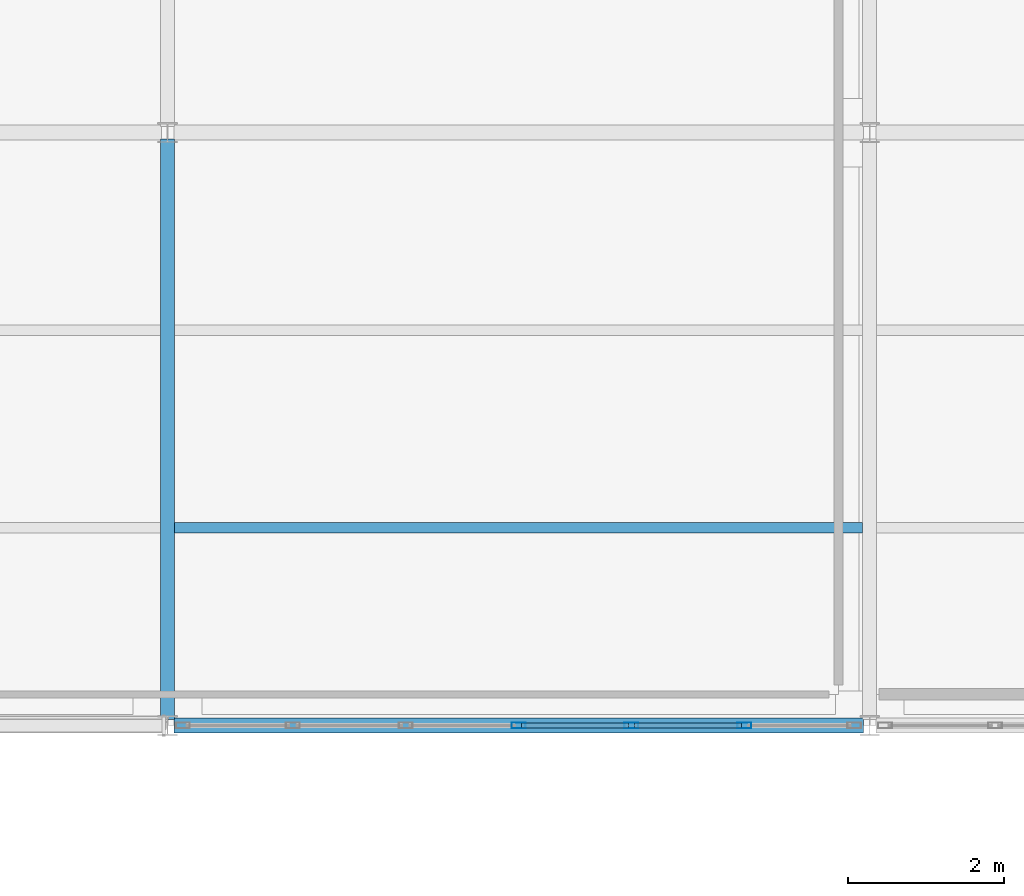
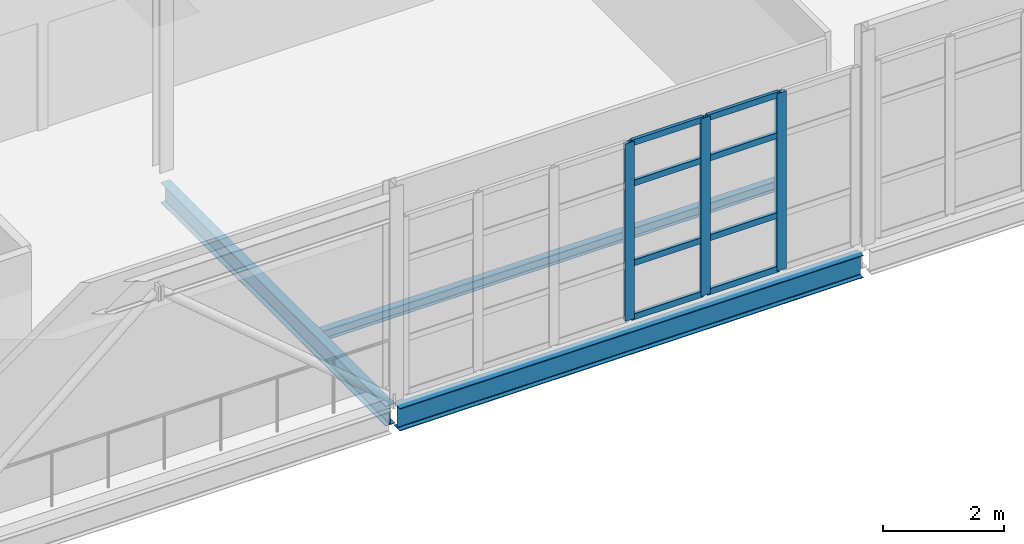
# One storey, part 33 of 96: 11 members, 3 beams, 1 element without a shape of its own.
"""IFC4 building model written with IfcOpenShell, lengths in metres."""

import ifcopenshell
import ifcopenshell.guid

model = None  # the IFC model being written
_history = None  # IfcOwnerHistory: only IFC2X3 demands one
_inside = {}  # id of a spatial element -> (the spatial element, [elements in it])
_under = {}  # id of a project, library or spatial element -> (it, [spatial elements below it])
_declared = {}  # id of a project -> (the project, [libraries it declares])
_typed = {}  # id of a type object -> (the type object, [elements of that type])
_made_of = {}  # id of a material, layer set ... -> (it, [elements and type objects made of it])


def new_model(schema):
    """Start an empty IFC model of exactly this schema.

    Asked for "IFC4X3", IfcOpenShell would pick the latest addendum, in which some entities
    have other attributes; the version numbers below select the first issue.
    IFC2X3 requires an IfcOwnerHistory on every rooted entity: one is made here for all.
    """
    global model, _history
    if schema == "IFC4X3":
        model = ifcopenshell.file(schema_version=(4, 3, 0, 0))
    else:
        model = ifcopenshell.file(schema=schema)
    _inside.clear()
    _under.clear()
    _declared.clear()
    _typed.clear()
    _made_of.clear()
    _history = None
    if model.schema == "IFC2X3":
        org = make("IfcOrganization", Name="unknown")
        user = make(
            "IfcPersonAndOrganization",
            ThePerson=make("IfcPerson", FamilyName="unknown"),
            TheOrganization=org,
        )
        app = make(
            "IfcApplication",
            ApplicationDeveloper=org,
            Version="unknown",
            ApplicationFullName="unknown",
            ApplicationIdentifier="unknown",
        )
        _history = make(
            "IfcOwnerHistory",
            OwningUser=user,
            OwningApplication=app,
            ChangeAction="ADDED",
            CreationDate=0,
        )
    return model


def make(cls, **values):
    """One entity of the class cls with the attributes given. An attribute that is None is left unset."""
    return model.create_entity(
        cls, **{name: value for name, value in values.items() if value is not None}
    )


def rooted(cls, **values):
    """An entity with a GlobalId (a new one), such as an element, a storey or a relation."""
    return make(cls, GlobalId=ifcopenshell.guid.new(), OwnerHistory=_history, **values)


def si_unit(unit_type, name, prefix=None):
    """IfcSIUnit, for example si_unit("LENGTHUNIT", "METRE", prefix="MILLI")."""
    return make("IfcSIUnit", UnitType=unit_type, Prefix=prefix, Name=name)


def assignment(units):
    """IfcUnitAssignment: the units of a project."""
    return None if units is None else make("IfcUnitAssignment", Units=units)


def point(xyz):
    """IfcCartesianPoint."""
    return None if xyz is None else make("IfcCartesianPoint", Coordinates=xyz)


def direction(xyz):
    """IfcDirection."""
    return None if xyz is None else make("IfcDirection", DirectionRatios=xyz)


def frame(location, z_axis=None, x_axis=None):
    """IfcAxis2Placement3D, a coordinate frame: its origin and axes. An axis left out is left unset."""
    return make(
        "IfcAxis2Placement3D",
        Location=point(location),
        Axis=direction(z_axis),
        RefDirection=direction(x_axis),
    )


def frame_2d(location, x_axis=None):
    """IfcAxis2Placement2D, a coordinate frame in the plane: its origin and x axis."""
    return make(
        "IfcAxis2Placement2D", Location=point(location), RefDirection=direction(x_axis)
    )


def origin():
    """The frame at (0, 0, 0) with its axes left unset."""
    return frame((0.0, 0.0, 0.0))


def origin_2d():
    """The frame at (0, 0) in the plane with its x axis left unset."""
    return frame_2d((0.0, 0.0))


def place(relative_to, where):
    """IfcLocalPlacement: puts the frame where relative to a parent placement (None: the world)."""
    return make(
        "IfcLocalPlacement", PlacementRelTo=relative_to, RelativePlacement=where
    )


def context(
    kind, dimensions, precision=None, world=None, true_north=None, identifier=None
):
    """IfcGeometricRepresentationContext, for example the 3D "Model" context."""
    return make(
        "IfcGeometricRepresentationContext",
        ContextIdentifier=identifier,
        ContextType=kind,
        CoordinateSpaceDimension=dimensions,
        Precision=precision,
        WorldCoordinateSystem=world,
        TrueNorth=true_north,
    )


def subcontext(parent, identifier, kind, view, scale=None):
    """IfcGeometricRepresentationSubContext, for example "Body" below "Model"."""
    return make(
        "IfcGeometricRepresentationSubContext",
        ContextIdentifier=identifier,
        ContextType=kind,
        ParentContext=parent,
        TargetScale=scale,
        TargetView=view,
    )


def project(units=None, contexts=None):
    """IfcProject with its units and contexts."""
    return rooted(
        "IfcProject",
        Name="project",
        RepresentationContexts=contexts,
        UnitsInContext=assignment(units),
    )


def spatial(cls, under=None, at=None, **own):
    """A site, building, storey or space (cls), placed at a placement, below another one or the project."""
    s = rooted(cls, ObjectPlacement=at, **own)
    if under is not None:
        _under.setdefault(under.id(), (under, []))[1].append(s)
    return s


def profile(cls, at=None, kind="AREA", **sizes):
    """A parametric profile (cls). Its sizes go by their IFC names, for example OverallWidth=200.0."""
    return make(cls, ProfileType=kind, Position=at, **sizes)


def hollow_rectangle(**sizes):
    """IfcRectangleHollowProfileDef."""
    return profile("IfcRectangleHollowProfileDef", **sizes)


def i_section(**sizes):
    """IfcIShapeProfileDef."""
    return profile("IfcIShapeProfileDef", **sizes)


def extrude(swept, where, along, depth):
    """IfcExtrudedAreaSolid: the profile swept, set in the frame where, extruded along a direction by depth."""
    return make(
        "IfcExtrudedAreaSolid",
        SweptArea=swept,
        Position=where,
        ExtrudedDirection=direction(along),
        Depth=depth,
    )


def shape(context_of_items, identifier, shape_type, items):
    """IfcShapeRepresentation: the items that make up one representation, for example the "Body"."""
    return make(
        "IfcShapeRepresentation",
        ContextOfItems=context_of_items,
        RepresentationIdentifier=identifier,
        RepresentationType=shape_type,
        Items=items,
    )


def material(Name=None, Category=None):
    """IfcMaterial."""
    return make("IfcMaterial", Name=Name, Category=Category)


def material_profile(
    of_material, cross_section, Name=None, Category=None, Priority=None
):
    """IfcMaterialProfile: a cross section and its material."""
    return make(
        "IfcMaterialProfile",
        Name=Name,
        Material=of_material,
        Profile=cross_section,
        Priority=Priority,
        Category=Category,
    )


def profile_set(profiles, Name=None, composite=None):
    """IfcMaterialProfileSet."""
    return make(
        "IfcMaterialProfileSet",
        Name=Name,
        MaterialProfiles=profiles,
        CompositeProfile=composite,
    )


def made_of(thing, what):
    """Note that an element or type object is made of a material, layer set ...; save() writes the relation."""
    if what is not None:
        _made_of.setdefault(what.id(), (what, []))[1].append(thing)
    return thing


def type_object(cls, material=None, **own):
    """A type object (cls), such as IfcWallType, which elements share."""
    return made_of(rooted(cls, **own), material)


def element(
    cls,
    number,
    at=None,
    inside=None,
    cuts=None,
    type_object=None,
    material=None,
    context=None,
    identifier="Body",
    shape_type=None,
    held_by="IfcProductDefinitionShape",
    body=None,
    shapes=None,
    **own,
):
    """One element of the class cls, such as IfcWall. Its Tag is "e" and its number.

    at: its placement. inside: the storey or other place that contains it. cuts: it is an
    opening in that element (IfcRelVoidsElement). A single representation is given by context,
    identifier, shape_type and body (its items); several are given by shapes. held_by: the class
    of the entity that holds the representations. save() writes the other relations.
    """
    e = rooted(cls, Tag="e%d" % number, ObjectPlacement=at, **own)
    if body is not None:
        shapes = [shape(context, identifier, shape_type, body)]
    if shapes is not None:
        e.Representation = make(held_by, Representations=shapes)
    if inside is not None:
        _inside.setdefault(inside.id(), (inside, []))[1].append(e)
    if cuts is not None:
        rooted(
            "IfcRelVoidsElement", RelatingBuildingElement=cuts, RelatedOpeningElement=e
        )
    if type_object is not None:
        _typed.setdefault(type_object.id(), (type_object, []))[1].append(e)
    return made_of(e, material)


def aggregate(whole, parts):
    """IfcRelAggregates: a whole, such as a stair, and the parts it consists of."""
    return rooted("IfcRelAggregates", RelatingObject=whole, RelatedObjects=parts)


def save(model, path):
    """Write the relations noted so far, then the file.

    IfcRelAggregates (storeys below a building ...), IfcRelContainedInSpatialStructure (elements
    in a storey), IfcRelDefinesByType, IfcRelAssociatesMaterial and IfcRelDeclares: one each for
    every whole, place, type object, material and project.
    """
    for whole, parts in _under.values():
        aggregate(whole, parts)
    for where, things in _inside.values():
        rooted(
            "IfcRelContainedInSpatialStructure",
            RelatedElements=things,
            RelatingStructure=where,
        )
    for kind, things in _typed.values():
        rooted("IfcRelDefinesByType", RelatedObjects=things, RelatingType=kind)
    for what, things in _made_of.values():
        rooted("IfcRelAssociatesMaterial", RelatedObjects=things, RelatingMaterial=what)
    for by, libraries in _declared.values():
        rooted("IfcRelDeclares", RelatingContext=by, RelatedDefinitions=libraries)
    model.write(path)


model = new_model("IFC4")

# Units and contexts
model_context = context("Model", 3, precision=1e-05, world=origin(), true_north=direction((0.0, 1.0)))
body_context = subcontext(model_context, "Body", "Model", "MODEL_VIEW")
ifc_project = project(units=[si_unit("LENGTHUNIT", "METRE"), si_unit("AREAUNIT", "SQUARE_METRE"), si_unit("VOLUMEUNIT", "CUBIC_METRE"), si_unit("PLANEANGLEUNIT", "RADIAN"), si_unit("MASSUNIT", "GRAM", prefix="KILO")], contexts=[model_context])

# Site, building, storey
site_placement = place(None, origin())
site = spatial("IfcSite", under=ifc_project, at=site_placement, CompositionType="ELEMENT")
building_placement = place(site_placement, origin())
building = spatial("IfcBuilding", under=site, at=building_placement, Name="Caisbarro Railhouse Central Library", CompositionType="ELEMENT")
storey_placement = place(building_placement, frame((0.0, 0.0, 13.679931640625)))
storey = spatial("IfcBuildingStorey", under=building, at=storey_placement, Name="L03", CompositionType="ELEMENT", Elevation=13.679931640625)

# Beams
ifc_material_1 = material(Name="Steel ASTM A572 Grade 50", Category="steel")
ifc_material_profile_1 = material_profile(ifc_material_1, i_section(OverallWidth=0.177978515625, OverallDepth=0.406982421875, WebThickness=0.0078125, FlangeThickness=0.0126953125, FilletRadius=0.01611328125, at=origin_2d()), Name="W410X60.0")
ifc_profile_set_1 = profile_set([ifc_material_profile_1], Name="Steel ASTM A572 Grade 50")
beam_type_1 = type_object("IfcBeamType", Name="BM-G10", PredefinedType="BEAM", material=ifc_profile_set_1)
beam_1_placement = place(storey_placement, frame((72.0, 83.679931640625, -0.4033203125), z_axis=(0.0, 1.0, 0.0), x_axis=(-1.0, 0.0, 0.0)))
element("IfcBeam", 1, at=beam_1_placement, inside=storey, type_object=beam_type_1, Name="G10 beam L03 #1981", PredefinedType="BEAM", context=body_context, shape_type="SweptSolid", body=[
    extrude(i_section(OverallWidth=0.177978515625, OverallDepth=0.406982421875, WebThickness=0.0078125, FlangeThickness=0.0126953125, FilletRadius=0.01611328125, at=origin_2d()), origin(), (0.0, 0.0, 1.0), 7.440185546875),
])
ifc_material_profile_2 = material_profile(ifc_material_1, i_section(OverallWidth=0.133056640625, OverallDepth=0.20703125, WebThickness=0.005859375, FlangeThickness=0.00830078125, FilletRadius=0.010009765625, at=origin_2d()), Name="W200X26.6")
ifc_profile_set_2 = profile_set([ifc_material_profile_2], Name="Steel ASTM A572 Grade 50")
beam_type_2 = type_object("IfcBeamType", Name="BM-J07", PredefinedType="JOIST", material=ifc_profile_set_2)
beam_2_placement = place(storey_placement, frame((72.089111328125, 86.13330078125, -0.303466796875), z_axis=(1.0, 0.0, 0.0), x_axis=(0.0, 1.0, 0.0)))
element("IfcBeam", 2, at=beam_2_placement, inside=storey, type_object=beam_type_2, Name="J07 beam L03 #1999", PredefinedType="JOIST", context=body_context, shape_type="SweptSolid", body=[
    extrude(i_section(OverallWidth=0.133056640625, OverallDepth=0.20703125, WebThickness=0.005859375, FlangeThickness=0.00830078125, FilletRadius=0.010009765625, at=origin_2d()), origin(), (0.0, 0.0, 1.0), 8.82177734375),
])
ifc_material_profile_3 = material_profile(ifc_material_1, i_section(OverallWidth=0.18994140625, OverallDepth=0.45703125, WebThickness=0.009033203125, FlangeThickness=0.014404296875, FilletRadius=0.01806640625, at=origin_2d()), Name="W460X74.0")
ifc_profile_set_3 = profile_set([ifc_material_profile_3], Name="Steel ASTM A572 Grade 50")
beam_type_3 = type_object("IfcBeamType", Name="BM-SP01", PredefinedType="SPANDREL", material=ifc_profile_set_3)
beam_3_placement = place(storey_placement, frame((72.080078125, 83.60009765625, -0.428466796875), z_axis=(1.0, 0.0, 0.0), x_axis=(0.0, 1.0, 0.0)))
element("IfcBeam", 3, at=beam_3_placement, inside=storey, type_object=beam_type_3, Name="SP01 beam L03 #1967", PredefinedType="SPANDREL", context=body_context, shape_type="SweptSolid", body=[
    extrude(i_section(OverallWidth=0.18994140625, OverallDepth=0.45703125, WebThickness=0.009033203125, FlangeThickness=0.014404296875, FilletRadius=0.01806640625, at=origin_2d()), origin(), (0.0, 0.0, 1.0), 8.83984375),
])

# Curtain wall, members
ifc_material_2 = material(Name="Anodised architectural aluminium", Category="aluminium")
curtain_wall_type = type_object("IfcCurtainWallType", Name="CW-CW02", PredefinedType="NOTDEFINED", material=ifc_material_2)
curtain_wall_placement = place(storey_placement, origin())
curtain_wall = element("IfcCurtainWall", 4, at=curtain_wall_placement, inside=storey, type_object=curtain_wall_type, Name="CW02 curtain wall L03 #188", PredefinedType="NOTDEFINED")
ifc_material_profile_4 = material_profile(ifc_material_2, hollow_rectangle(XDim=0.074951171875, YDim=0.179931640625, WallThickness=0.00439453125, at=origin_2d()), Name="ALU-MUL-75X180")
ifc_profile_set_4 = profile_set([ifc_material_profile_4], Name="Anodised architectural aluminium")
member_type_1 = type_object("IfcMemberType", Name="CWM-M01", PredefinedType="MULLION", material=ifc_profile_set_4)
member_1_placement = place(storey_placement, frame((76.5, 83.60009765625, 0.0), z_axis=(0.0, 0.0, 1.0), x_axis=(0.0, 1.0, 0.0)))
member_1 = element("IfcMember", 5, at=member_1_placement, type_object=member_type_1, Name="CW02 mullion 4", PredefinedType="MULLION", context=body_context, shape_type="SweptSolid", body=[
    extrude(hollow_rectangle(XDim=0.074951171875, YDim=0.179931640625, WallThickness=0.00439453125, at=origin_2d()), origin(), (0.0, 0.0, 1.0), 3.580078125),
])
member_2_placement = place(storey_placement, frame((77.94677734375, 83.60009765625, 0.0), z_axis=(0.0, 0.0, 1.0), x_axis=(0.0, 1.0, 0.0)))
member_2 = element("IfcMember", 6, at=member_2_placement, type_object=member_type_1, Name="CW02 mullion 5", PredefinedType="MULLION", context=body_context, shape_type="SweptSolid", body=[
    extrude(hollow_rectangle(XDim=0.074951171875, YDim=0.179931640625, WallThickness=0.00439453125, at=origin_2d()), origin(), (0.0, 0.0, 1.0), 3.580078125),
])
member_3_placement = place(storey_placement, frame((79.393310546875, 83.60009765625, 0.0), z_axis=(0.0, 0.0, 1.0), x_axis=(0.0, 1.0, 0.0)))
member_3 = element("IfcMember", 7, at=member_3_placement, type_object=member_type_1, Name="CW02 mullion 6", PredefinedType="MULLION", context=body_context, shape_type="SweptSolid", body=[
    extrude(hollow_rectangle(XDim=0.074951171875, YDim=0.179931640625, WallThickness=0.00439453125, at=origin_2d()), origin(), (0.0, 0.0, 1.0), 3.580078125),
])
ifc_material_profile_5 = material_profile(ifc_material_2, hollow_rectangle(XDim=0.06494140625, YDim=0.1201171875, WallThickness=0.00341796875, at=origin_2d()), Name="ALU-TRN-65X120")
ifc_profile_set_5 = profile_set([ifc_material_profile_5], Name="Anodised architectural aluminium")
member_type_2 = type_object("IfcMemberType", Name="CWT-T02", PredefinedType="USERDEFINED", material=ifc_profile_set_5)
member_4_placement = place(storey_placement, frame((76.53759765625, 83.60009765625, 0.032470703125), z_axis=(1.0, 0.0, 0.0), x_axis=(0.0, 1.0, 0.0)))
member_4 = element("IfcMember", 8, at=member_4_placement, type_object=member_type_2, Name="CW02 transom 4.1", ObjectType="TRANSOM", PredefinedType="USERDEFINED", context=body_context, shape_type="SweptSolid", body=[
    extrude(hollow_rectangle(XDim=0.06494140625, YDim=0.1201171875, WallThickness=0.00341796875, at=origin_2d()), origin(), (0.0, 0.0, 1.0), 1.37158203125),
])
member_5_placement = place(storey_placement, frame((76.53759765625, 83.60009765625, 1.1201171875), z_axis=(1.0, 0.0, 0.0), x_axis=(0.0, 1.0, 0.0)))
member_5 = element("IfcMember", 9, at=member_5_placement, type_object=member_type_2, Name="CW02 transom 4.2", ObjectType="TRANSOM", PredefinedType="USERDEFINED", context=body_context, shape_type="SweptSolid", body=[
    extrude(hollow_rectangle(XDim=0.06494140625, YDim=0.1201171875, WallThickness=0.00341796875, at=origin_2d()), origin(), (0.0, 0.0, 1.0), 1.37158203125),
])
member_6_placement = place(storey_placement, frame((76.53759765625, 83.60009765625, 2.72998046875), z_axis=(1.0, 0.0, 0.0), x_axis=(0.0, 1.0, 0.0)))
member_6 = element("IfcMember", 10, at=member_6_placement, type_object=member_type_2, Name="CW02 transom 4.3", ObjectType="TRANSOM", PredefinedType="USERDEFINED", context=body_context, shape_type="SweptSolid", body=[
    extrude(hollow_rectangle(XDim=0.06494140625, YDim=0.1201171875, WallThickness=0.00341796875, at=origin_2d()), origin(), (0.0, 0.0, 1.0), 1.37158203125),
])
member_7_placement = place(storey_placement, frame((76.53759765625, 83.60009765625, 3.547607421875), z_axis=(1.0, 0.0, 0.0), x_axis=(0.0, 1.0, 0.0)))
member_7 = element("IfcMember", 11, at=member_7_placement, type_object=member_type_2, Name="CW02 transom 4.4", ObjectType="TRANSOM", PredefinedType="USERDEFINED", context=body_context, shape_type="SweptSolid", body=[
    extrude(hollow_rectangle(XDim=0.06494140625, YDim=0.1201171875, WallThickness=0.00341796875, at=origin_2d()), origin(), (0.0, 0.0, 1.0), 1.37158203125),
])
member_8_placement = place(storey_placement, frame((77.984130859375, 83.60009765625, 0.032470703125), z_axis=(1.0, 0.0, 0.0), x_axis=(0.0, 1.0, 0.0)))
member_8 = element("IfcMember", 12, at=member_8_placement, type_object=member_type_2, Name="CW02 transom 5.1", ObjectType="TRANSOM", PredefinedType="USERDEFINED", context=body_context, shape_type="SweptSolid", body=[
    extrude(hollow_rectangle(XDim=0.06494140625, YDim=0.1201171875, WallThickness=0.00341796875, at=origin_2d()), origin(), (0.0, 0.0, 1.0), 1.37158203125),
])
member_9_placement = place(storey_placement, frame((77.984130859375, 83.60009765625, 1.1201171875), z_axis=(1.0, 0.0, 0.0), x_axis=(0.0, 1.0, 0.0)))
member_9 = element("IfcMember", 13, at=member_9_placement, type_object=member_type_2, Name="CW02 transom 5.2", ObjectType="TRANSOM", PredefinedType="USERDEFINED", context=body_context, shape_type="SweptSolid", body=[
    extrude(hollow_rectangle(XDim=0.06494140625, YDim=0.1201171875, WallThickness=0.00341796875, at=origin_2d()), origin(), (0.0, 0.0, 1.0), 1.37158203125),
])
member_10_placement = place(storey_placement, frame((77.984130859375, 83.60009765625, 2.72998046875), z_axis=(1.0, 0.0, 0.0), x_axis=(0.0, 1.0, 0.0)))
member_10 = element("IfcMember", 14, at=member_10_placement, type_object=member_type_2, Name="CW02 transom 5.3", ObjectType="TRANSOM", PredefinedType="USERDEFINED", context=body_context, shape_type="SweptSolid", body=[
    extrude(hollow_rectangle(XDim=0.06494140625, YDim=0.1201171875, WallThickness=0.00341796875, at=origin_2d()), origin(), (0.0, 0.0, 1.0), 1.37158203125),
])
member_11_placement = place(storey_placement, frame((77.984130859375, 83.60009765625, 3.547607421875), z_axis=(1.0, 0.0, 0.0), x_axis=(0.0, 1.0, 0.0)))
member_11 = element("IfcMember", 15, at=member_11_placement, type_object=member_type_2, Name="CW02 transom 5.4", ObjectType="TRANSOM", PredefinedType="USERDEFINED", context=body_context, shape_type="SweptSolid", body=[
    extrude(hollow_rectangle(XDim=0.06494140625, YDim=0.1201171875, WallThickness=0.00341796875, at=origin_2d()), origin(), (0.0, 0.0, 1.0), 1.37158203125),
])
aggregate(curtain_wall, [member_1, member_2, member_3, member_4, member_5, member_6, member_7, member_8, member_9, member_10, member_11])

save(model, "model.ifc")
